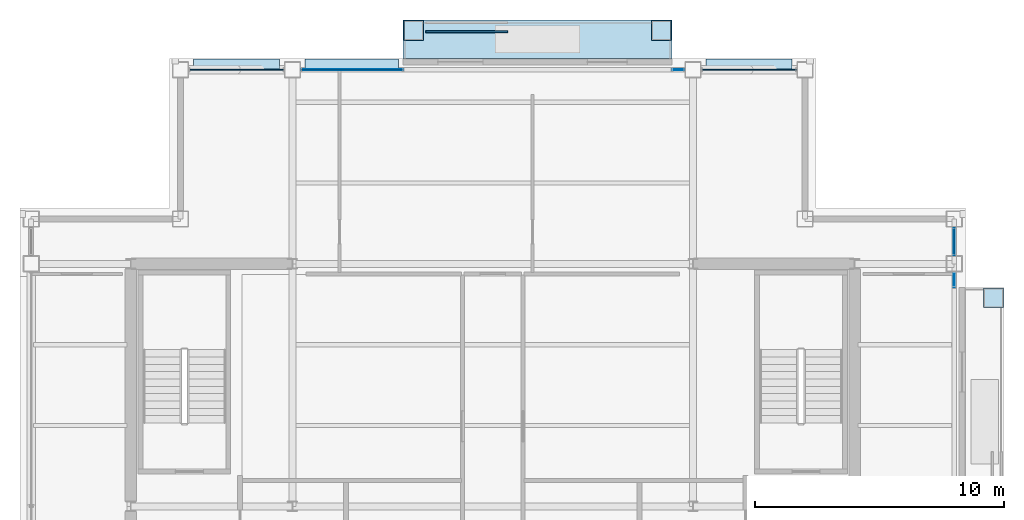
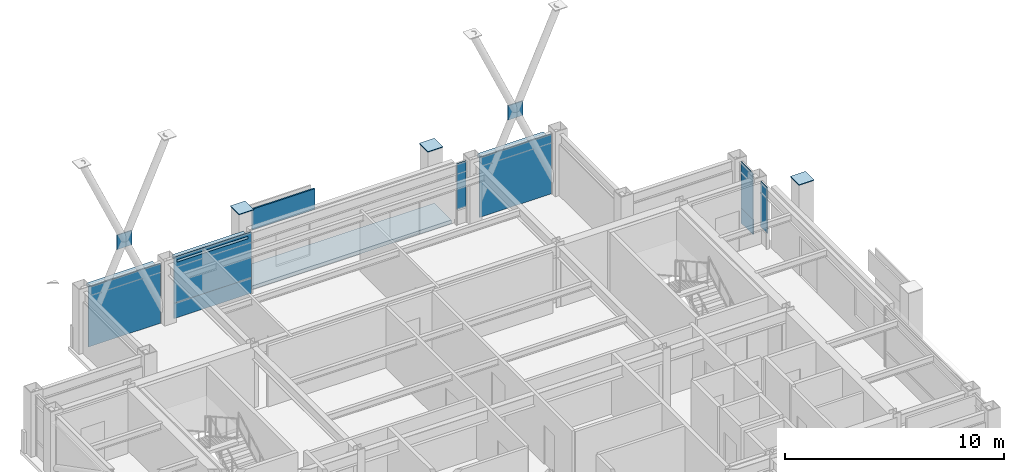
# One storey, part 22 of 28: 17 plates, 1 slab, 6 elements without a shape of their own.
"""IFC4 building model written with IfcOpenShell, lengths in metres."""

from ifc_helpers import new_model, si_unit, direction, frame, origin, origin_2d, place, context, subcontext, project, spatial, polyline, rectangle, outline, extrude, material, layer, layer_set, type_object, element, aggregate, save


model = new_model("IFC4")

# Units and contexts
model_context = context("Model", 3, precision=1e-05, world=origin(), true_north=direction((0.0, 1.0)))
body_context = subcontext(model_context, "Body", "Model", "MODEL_VIEW")
ifc_project = project(units=[si_unit("LENGTHUNIT", "METRE"), si_unit("AREAUNIT", "SQUARE_METRE"), si_unit("VOLUMEUNIT", "CUBIC_METRE"), si_unit("PLANEANGLEUNIT", "RADIAN"), si_unit("MASSUNIT", "GRAM", prefix="KILO")], contexts=[model_context])

# Site, building, storey
site_placement = place(None, origin())
site = spatial("IfcSite", under=ifc_project, at=site_placement, CompositionType="ELEMENT")
building_placement = place(site_placement, origin())
building = spatial("IfcBuilding", under=site, at=building_placement, Name="Brelmoor Portico Tower", CompositionType="ELEMENT")
storey_placement = place(building_placement, frame((0.0, 0.0, 225.60009765625)))
storey = spatial("IfcBuildingStorey", under=building, at=storey_placement, Name="L59", CompositionType="ELEMENT", Elevation=225.60009765625)

# Plates
ifc_material_1 = material(Name="Steel Q355B", Category="steel")
ifc_layer_1 = layer(ifc_material_1, 0.044921875)
ifc_layer_set_1 = layer_set([ifc_layer_1], Name="Steel Q355B")
plate_type_1 = type_object("IfcPlateType", Name="PT-CAP-650", PredefinedType="SHEET", material=ifc_layer_set_1)
for number, where, z_axis, x_axis, name in (
    (1, (-3.179931640625, 19.1298828125, 3.599853515625), (0.0, 0.0, 1.0), (1.0, 0.0, 0.0), "L59 Proud Picture-Frame Pier PFJ-N1 Welded Head Cap Plate"),
    (2, (6.780029296875, 19.1298828125, 3.599853515625), (0.0, 0.0, 1.0), (1.0, 0.0, 0.0), "L59 Proud Picture-Frame Pier PFJ-N2 Welded Head Cap Plate"),
    (3, (20.1298828125, 8.3798828125, 3.599853515625), (0.0, 0.0, 1.0), (0.0, 1.0, 0.0), "L59 Proud Picture-Frame Pier PFJ-E2 Welded Head Cap Plate"),
):
    element("IfcPlate", number, at=place(storey_placement, frame(where, z_axis=z_axis, x_axis=x_axis)), inside=storey, type_object=plate_type_1, Name=name, PredefinedType="SHEET", context=body_context, shape_type="SweptSolid", body=[
        extrude(rectangle(XDim=0.7900390625, YDim=0.7900390625, at=origin_2d()), origin(), (0.0, 0.0, 1.0), 0.0400390625),
    ])

# Curtain wall, plate
ifc_material_2 = material(Name="Anodised Aluminium Alloy 6063-T6", Category="aluminium")
ifc_layer_2 = layer(ifc_material_2, 0.179931640625)
ifc_layer_set_2 = layer_set([ifc_layer_2], Name="Anodised Aluminium Alloy 6063-T6")
curtain_wall_type_1 = type_object("IfcCurtainWallType", Name="CW-TOWER-Z4", PredefinedType="NOTDEFINED", material=ifc_layer_set_2)
curtain_wall_1_placement = place(storey_placement, origin())
curtain_wall_1 = element("IfcCurtainWall", 4, at=curtain_wall_1_placement, inside=storey, type_object=curtain_wall_type_1, Name="L59 Curtain Wall CW-L59-2L-2", PredefinedType="NOTDEFINED")
ifc_material_3 = material(Name="Double-Silver Low-E Insulated Glazing", Category="glass")
ifc_layer_3 = layer(ifc_material_3, 0.035888671875)
ifc_layer_set_3 = layer_set([ifc_layer_3], Name="Double-Silver Low-E Insulated Glazing")
plate_type_2 = type_object("IfcPlateType", Name="PT-CW-GLASS", PredefinedType="CURTAIN_PANEL", material=ifc_layer_set_3)
plate_1_placement = place(storey_placement, frame((-5.657470703125, 17.550048828125, 0.85009765625), z_axis=(0.0, 0.0, 1.0), x_axis=(1.0, 0.0, 0.0)))
plate_1 = element("IfcPlate", 5, at=plate_1_placement, type_object=plate_type_2, Name="CW-L59-2L-2 Vision Glass Panel 00", PredefinedType="CURTAIN_PANEL", context=body_context, shape_type="SweptSolid", body=[
    extrude(rectangle(XDim=4.0849609375, YDim=0.035888671875, at=origin_2d()), origin(), (0.0, 0.0, 1.0), 2.550048828125),
])

curtain_wall_2_placement = place(storey_placement, origin())
curtain_wall_2 = element("IfcCurtainWall", 6, at=curtain_wall_2_placement, inside=storey, type_object=curtain_wall_type_1, Name="L59 Curtain Wall CW-L59-2R-1", PredefinedType="NOTDEFINED")
plate_2_placement = place(storey_placement, frame((7.45751953125, 17.550048828125, 0.85009765625), z_axis=(0.0, 0.0, 1.0), x_axis=(1.0, 0.0, 0.0)))
plate_2 = element("IfcPlate", 7, at=plate_2_placement, type_object=plate_type_2, Name="CW-L59-2R-1 Vision Glass Panel 00", PredefinedType="CURTAIN_PANEL", context=body_context, shape_type="SweptSolid", body=[
    extrude(rectangle(XDim=0.485107421875, YDim=0.035888671875, at=origin_2d()), origin(), (0.0, 0.0, 1.0), 2.550048828125),
])
aggregate(curtain_wall_2, [plate_2])

curtain_wall_3_placement = place(storey_placement, origin())
curtain_wall_3 = element("IfcCurtainWall", 8, at=curtain_wall_3_placement, inside=storey, type_object=curtain_wall_type_1, Name="L59 Curtain Wall CW-L59-4R-1", PredefinedType="NOTDEFINED")
plate_3_placement = place(storey_placement, frame((18.550048828125, 9.107421875, 0.85009765625), z_axis=(0.0, 0.0, 1.0), x_axis=(0.0, 1.0, 0.0)))
plate_3 = element("IfcPlate", 9, at=plate_3_placement, type_object=plate_type_2, Name="CW-L59-4R-1 Vision Glass Panel 00", PredefinedType="CURTAIN_PANEL", context=body_context, shape_type="SweptSolid", body=[
    extrude(rectangle(XDim=0.5849609375, YDim=0.035888671875, at=origin_2d()), origin(), (0.0, 0.0, 1.0), 2.550048828125),
])
aggregate(curtain_wall_3, [plate_3])

curtain_wall_4_placement = place(storey_placement, origin())
curtain_wall_4 = element("IfcCurtainWall", 10, at=curtain_wall_4_placement, inside=storey, type_object=curtain_wall_type_1, Name="L59 Curtain Wall CW-L59-4R-2", PredefinedType="NOTDEFINED")
plate_4_placement = place(storey_placement, frame((18.550048828125, 10.64990234375, 0.85009765625), z_axis=(0.0, 0.0, 1.0), x_axis=(0.0, 1.0, 0.0)))
plate_4 = element("IfcPlate", 11, at=plate_4_placement, type_object=plate_type_2, Name="CW-L59-4R-2 Vision Glass Panel 00", PredefinedType="CURTAIN_PANEL", context=body_context, shape_type="SweptSolid", body=[
    extrude(rectangle(XDim=1.10009765625, YDim=0.035888671875, at=origin_2d()), origin(), (0.0, 0.0, 1.0), 2.550048828125),
])

ifc_layer_4 = layer(ifc_material_2, 0.179931640625)
ifc_layer_set_4 = layer_set([ifc_layer_4], Name="Anodised Aluminium Alloy 6063-T6")
curtain_wall_type_2 = type_object("IfcCurtainWallType", Name="CW-TOWER-Z4-XB", PredefinedType="NOTDEFINED", material=ifc_layer_set_4)
curtain_wall_5_placement = place(storey_placement, origin())
curtain_wall_5 = element("IfcCurtainWall", 12, at=curtain_wall_5_placement, inside=storey, type_object=curtain_wall_type_2, Name="L59 Curtain Wall CW-L59-2L-1", PredefinedType="NOTDEFINED")
ifc_material_4 = material(Name="Pale Champagne Anodised Aluminium Panel", Category="aluminium")
ifc_layer_5 = layer(ifc_material_4, 0.050048828125)
ifc_layer_set_5 = layer_set([ifc_layer_5], Name="Pale Champagne Anodised Aluminium Panel")
plate_type_3 = type_object("IfcPlateType", Name="PT-CW-SPANDREL", PredefinedType="SHEET", material=ifc_layer_set_5)
plate_5_placement = place(storey_placement, frame((-10.300048828125, 17.550048828125, 0.0), z_axis=(0.0, 0.0, 1.0), x_axis=(1.0, 0.0, 0.0)))
plate_5 = element("IfcPlate", 13, at=plate_5_placement, type_object=plate_type_3, Name="CW-L59-2L-1 Spandrel Panel 00", PredefinedType="SHEET", context=body_context, shape_type="SweptSolid", body=[
    extrude(rectangle(XDim=3.800048828125, YDim=0.050048828125, at=origin_2d()), origin(), (0.0, 0.0, 1.0), 3.33740234375),
])
aggregate(curtain_wall_5, [plate_5])

# Plate
plate_6_placement = place(storey_placement, frame((-5.657470703125, 17.550048828125, -0.000244140625), z_axis=(0.0, 0.0, 1.0), x_axis=(1.0, 0.0, 0.0)))
plate_6 = element("IfcPlate", 14, at=plate_6_placement, type_object=plate_type_3, Name="CW-L59-2L-2 Spandrel Panel 00", PredefinedType="SHEET", context=body_context, shape_type="SweptSolid", body=[
    extrude(rectangle(XDim=4.0849609375, YDim=0.050048828125, at=origin_2d()), origin(), (0.0, 0.0, 1.0), 0.85009765625),
])

aggregate(curtain_wall_1, [plate_6, plate_1])

# Curtain wall, plate
curtain_wall_6_placement = place(storey_placement, origin())
curtain_wall_6 = element("IfcCurtainWall", 15, at=curtain_wall_6_placement, inside=storey, type_object=curtain_wall_type_2, Name="L59 Curtain Wall CW-L59-2R-2", PredefinedType="NOTDEFINED")
plate_7_placement = place(storey_placement, frame((10.300048828125, 17.550048828125, 0.0), z_axis=(0.0, 0.0, 1.0), x_axis=(1.0, 0.0, 0.0)))
plate_7 = element("IfcPlate", 16, at=plate_7_placement, type_object=plate_type_3, Name="CW-L59-2R-2 Spandrel Panel 00", PredefinedType="SHEET", context=body_context, shape_type="SweptSolid", body=[
    extrude(rectangle(XDim=3.800048828125, YDim=0.050048828125, at=origin_2d()), origin(), (0.0, 0.0, 1.0), 3.33740234375),
])
aggregate(curtain_wall_6, [plate_7])

# Plate
plate_8_placement = place(storey_placement, frame((18.550048828125, 10.64990234375, -0.000244140625), z_axis=(0.0, 0.0, 1.0), x_axis=(0.0, 1.0, 0.0)))
plate_8 = element("IfcPlate", 17, at=plate_8_placement, type_object=plate_type_3, Name="CW-L59-4R-2 Spandrel Panel 00", PredefinedType="SHEET", context=body_context, shape_type="SweptSolid", body=[
    extrude(rectangle(XDim=1.10009765625, YDim=0.050048828125, at=origin_2d()), origin(), (0.0, 0.0, 1.0), 0.85009765625),
])

aggregate(curtain_wall_4, [plate_8, plate_4])

# Plates
ifc_layer_6 = layer(ifc_material_1, 0.050048828125)
ifc_layer_set_6 = layer_set([ifc_layer_6], Name="Steel Q355B")
plate_type_4 = type_object("IfcPlateType", Name="PT-GUSSET-800", PredefinedType="USERDEFINED", material=ifc_layer_set_6)
for number, where, z_axis, x_axis, name in (
    (18, (-10.300048828125, 17.550048828125, 4.89990234375), (0.0, 0.0, 1.0), (1.0, 0.0, 0.0), "L59 Perimeter Mega-Brace Gusset 136"),
    (19, (10.300048828125, 17.550048828125, 4.89990234375), (0.0, 0.0, 1.0), (1.0, 0.0, 0.0), "L59 Perimeter Mega-Brace Gusset 137"),
):
    element("IfcPlate", number, at=place(storey_placement, frame(where, z_axis=z_axis, x_axis=x_axis)), inside=storey, type_object=plate_type_4, Name=name, ObjectType="GUSSET PLATE", PredefinedType="USERDEFINED", context=body_context, shape_type="SweptSolid", body=[
        extrude(rectangle(XDim=0.800048828125, YDim=0.050048828125, at=origin_2d()), origin(), (0.0, 0.0, 1.0), 0.800048828125),
    ])
ifc_material_5 = material(Name="Powder-Coated Aluminium Shuttered Jalousie Louvre", Category="aluminium")
ifc_layer_7 = layer(ifc_material_5, 0.06005859375)
ifc_layer_set_7 = layer_set([ifc_layer_7], Name="Powder-Coated Aluminium Shuttered Jalousie Louvre")
plate_type_5 = type_object("IfcPlateType", Name="PT-JALOUSIE-SHUTTER", PredefinedType="SHEET", material=ifc_layer_set_7)
plate_9_placement = place(storey_placement, frame((-1.050048828125, 19.080078125, 2.27490234375), z_axis=(0.0, 0.0, 1.0), x_axis=(1.0, 0.0, 0.0)))
element("IfcPlate", 20, at=plate_9_placement, inside=storey, type_object=plate_type_5, Name="L59 Shuttered Veranda Screen N", PredefinedType="SHEET", context=body_context, shape_type="SweptSolid", body=[
    extrude(rectangle(XDim=3.300048828125, YDim=0.080078125, at=origin_2d()), origin(), (0.0, 0.0, 1.0), 1.14990234375),
])
ifc_material_6 = material(Name="Pale Champagne Perforated Aluminium Solar Screen", Category="aluminium")
ifc_layer_8 = layer(ifc_material_6, 0.054931640625)
ifc_layer_set_8 = layer_set([ifc_layer_8], Name="Pale Champagne Perforated Aluminium Solar Screen")
plate_type_6 = type_object("IfcPlateType", Name="PT-SOLAR-LOUVRE", PredefinedType="SHEET", material=ifc_layer_set_8)
plate_10_placement = place(storey_placement, frame((-10.300048828125, 17.760009765625, 3.08984375), z_axis=(0.0, 0.0, 1.0), x_axis=(1.0, 0.0, 0.0)))
element("IfcPlate", 21, at=plate_10_placement, inside=storey, type_object=plate_type_6, Name="CW-L59-2L-1 Caribbean Brise-Soleil Solar Screen", PredefinedType="SHEET", context=body_context, shape_type="SweptSolid", body=[
    extrude(rectangle(XDim=3.469970703125, YDim=0.4599609375, at=origin_2d()), origin(), (0.0, 0.0, 1.0), 0.139892578125),
])
plate_11_placement = place(storey_placement, frame((-5.657470703125, 17.760009765625, 3.08984375), z_axis=(0.0, 0.0, 1.0), x_axis=(1.0, 0.0, 0.0)))
element("IfcPlate", 22, at=plate_11_placement, inside=storey, type_object=plate_type_6, Name="CW-L59-2L-2 Caribbean Brise-Soleil Solar Screen", PredefinedType="SHEET", context=body_context, shape_type="SweptSolid", body=[
    extrude(rectangle(XDim=3.7548828125, YDim=0.4599609375, at=origin_2d()), origin(), (0.0, 0.0, 1.0), 0.139892578125),
])
plate_12_placement = place(storey_placement, frame((10.300048828125, 17.760009765625, 3.08984375), z_axis=(0.0, 0.0, 1.0), x_axis=(1.0, 0.0, 0.0)))
element("IfcPlate", 23, at=plate_12_placement, inside=storey, type_object=plate_type_6, Name="CW-L59-2R-2 Caribbean Brise-Soleil Solar Screen", PredefinedType="SHEET", context=body_context, shape_type="SweptSolid", body=[
    extrude(rectangle(XDim=3.469970703125, YDim=0.4599609375, at=origin_2d()), origin(), (0.0, 0.0, 1.0), 0.139892578125),
])

# Slab
ifc_material_7 = material(Name="Concrete C40", Category="concrete")
ifc_layer_9 = layer(ifc_material_7, 0.199951171875)
ifc_layer_set_9 = layer_set([ifc_layer_9], Name="Concrete C40")
slab_type = type_object("IfcSlabType", Name="SL-BALCONY-200", PredefinedType="FLOOR", material=ifc_layer_set_9)
slab_placement = place(storey_placement, frame((0.0, 0.0, -0.2001953125)))
element("IfcSlab", 24, at=slab_placement, inside=storey, type_object=slab_type, Name="L59 Loggia Tree Balcony Slab N", PredefinedType="FLOOR", context=body_context, shape_type="SweptSolid", body=[
    extrude(outline(polyline([(-3.60009765625, 18.0), (7.199951171875, 18.0), (7.199951171875, 19.550048828125), (-3.60009765625, 19.550048828125), (-3.60009765625, 18.0)])), origin(), (0.0, 0.0, 1.0), 0.2001953125),
])

save(model, "model.ifc")
